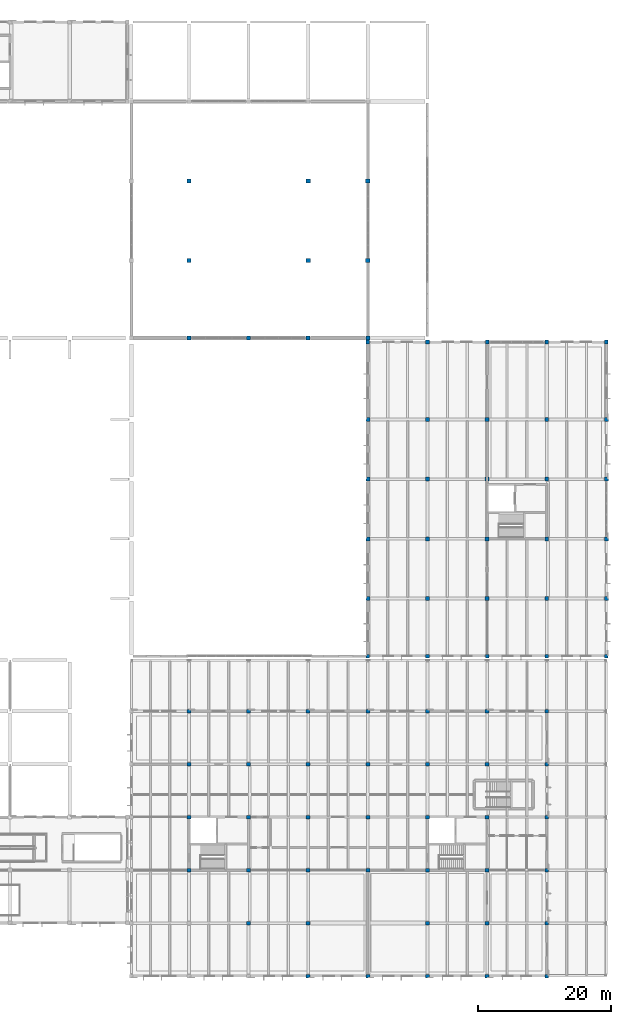
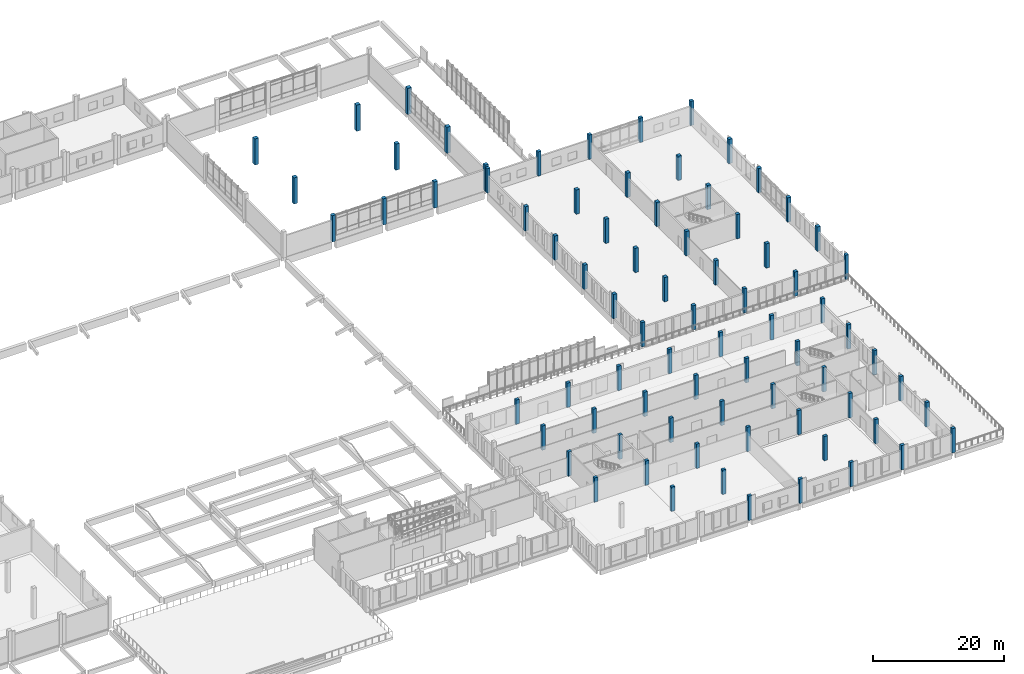
# One storey, part 4 of 63: 78 columns.
"""IFC4 building model written with IfcOpenShell, lengths in metres."""

from ifc_helpers import new_model, si_unit, direction, frame, origin, origin_2d, place, context, subcontext, project, spatial, rectangle, extrude, material, material_profile, profile_set, type_object, element, save


model = new_model("IFC4")

# Units and contexts
model_context = context("Model", 3, precision=1e-05, world=origin(), true_north=direction((0.0, 1.0)))
body_context = subcontext(model_context, "Body", "Model", "MODEL_VIEW")
ifc_project = project(units=[si_unit("LENGTHUNIT", "METRE"), si_unit("AREAUNIT", "SQUARE_METRE"), si_unit("VOLUMEUNIT", "CUBIC_METRE"), si_unit("PLANEANGLEUNIT", "RADIAN"), si_unit("MASSUNIT", "GRAM", prefix="KILO")], contexts=[model_context])

# Site, building, storey
site_placement = place(None, origin())
site = spatial("IfcSite", under=ifc_project, at=site_placement, CompositionType="ELEMENT")
building_placement = place(site_placement, origin())
building = spatial("IfcBuilding", under=site, at=building_placement, Name="Zacnel Wholesale Market", CompositionType="ELEMENT")
storey_placement = place(building_placement, frame((0.0, 0.0, 11.199951171875)))
storey = spatial("IfcBuildingStorey", under=building, at=storey_placement, Name="L03", CompositionType="ELEMENT", Elevation=11.199951171875)

# Columns
ifc_material_1 = material(Name="Precast concrete C45/55", Category="concrete")
ifc_material_profile_1 = material_profile(ifc_material_1, rectangle(XDim=0.550048828125, YDim=0.550048828125, at=origin_2d()), Name="PC 550x550")
ifc_profile_set_1 = profile_set([ifc_material_profile_1], Name="Precast concrete C45/55")
column_type_1 = type_object("IfcColumnType", Name="COL-PC550", PredefinedType="COLUMN", material=ifc_profile_set_1)
for number, where, z_axis, x_axis, name in (
    (1, (180.0, 48.300048828125, 0.0), (0.0, 0.0, 1.0), (1.0, 0.0, 0.0), "Precast column L03-0791"),
    (2, (180.0, 95.699951171875, 0.0), (0.0, 0.0, 1.0), (1.0, 0.0, 0.0), "Precast column L03-0796"),
    (3, (189.0, 48.300048828125, 0.0), (0.0, 0.0, 1.0), (1.0, 0.0, 0.0), "Precast column L03-0803"),
    (4, (189.0, 95.699951171875, 0.0), (0.0, 0.0, 1.0), (1.0, 0.0, 0.0), "Precast column L03-0808"),
    (5, (198.0, 48.300048828125, 0.0), (0.0, 0.0, 1.0), (1.0, 0.0, 0.0), "Precast column L03-0815"),
    (6, (198.0, 95.699951171875, 0.0), (0.0, 0.0, 1.0), (1.0, 0.0, 0.0), "Precast column L03-0820"),
    (7, (207.0, 48.300048828125, 0.0), (0.0, 0.0, 1.0), (1.0, 0.0, 0.0), "Precast column L03-0827"),
    (8, (207.0, 95.699951171875, 0.0), (0.0, 0.0, 1.0), (1.0, 0.0, 0.0), "Precast column L03-0832"),
    (9, (216.0, 48.300048828125, 0.0), (0.0, 0.0, 1.0), (1.0, 0.0, 0.0), "Precast column L03-0833"),
    (10, (216.0, 95.699951171875, 0.0), (0.0, 0.0, 1.0), (1.0, 0.0, 0.0), "Precast column L03-0838"),
):
    element("IfcColumn", number, at=place(storey_placement, frame(where, z_axis=z_axis, x_axis=x_axis)), inside=storey, type_object=column_type_1, Name=name, PredefinedType="COLUMN", context=body_context, shape_type="SweptSolid", body=[
        extrude(rectangle(XDim=0.550048828125, YDim=0.550048828125, at=origin_2d()), origin(), (0.0, 0.0, 1.0), 4.550048828125),
    ])
ifc_material_2 = material(Name="Precast concrete C45/55", Category="concrete")
ifc_material_profile_2 = material_profile(ifc_material_2, rectangle(XDim=0.60009765625, YDim=0.60009765625, at=origin_2d()), Name="PC 600x600")
ifc_profile_set_2 = profile_set([ifc_material_profile_2], Name="Precast concrete C45/55")
column_type_2 = type_object("IfcColumnType", Name="COL-PC600", PredefinedType="COLUMN", material=ifc_profile_set_2)
for number, where, z_axis, x_axis, name in (
    (11, (180.0, 57.0, 0.0), (0.0, 0.0, 1.0), (1.0, 0.0, 0.0), "Precast column L03-0792"),
    (12, (180.0, 66.0, 0.0), (0.0, 0.0, 1.0), (1.0, 0.0, 0.0), "Precast column L03-0793"),
    (13, (180.0, 75.0, 0.0), (0.0, 0.0, 1.0), (1.0, 0.0, 0.0), "Precast column L03-0794"),
    (14, (180.0, 84.0, 0.0), (0.0, 0.0, 1.0), (1.0, 0.0, 0.0), "Precast column L03-0795"),
    (15, (189.0, 57.0, 0.0), (0.0, 0.0, 1.0), (1.0, 0.0, 0.0), "Precast column L03-0804"),
    (16, (189.0, 66.0, 0.0), (0.0, 0.0, 1.0), (1.0, 0.0, 0.0), "Precast column L03-0805"),
    (17, (189.0, 75.0, 0.0), (0.0, 0.0, 1.0), (1.0, 0.0, 0.0), "Precast column L03-0806"),
    (18, (189.0, 84.0, 0.0), (0.0, 0.0, 1.0), (1.0, 0.0, 0.0), "Precast column L03-0807"),
    (19, (198.0, 57.0, 0.0), (0.0, 0.0, 1.0), (1.0, 0.0, 0.0), "Precast column L03-0816"),
    (20, (198.0, 66.0, 0.0), (0.0, 0.0, 1.0), (1.0, 0.0, 0.0), "Precast column L03-0817"),
    (21, (198.0, 75.0, 0.0), (0.0, 0.0, 1.0), (1.0, 0.0, 0.0), "Precast column L03-0818"),
    (22, (198.0, 84.0, 0.0), (0.0, 0.0, 1.0), (1.0, 0.0, 0.0), "Precast column L03-0819"),
    (23, (207.0, 57.0, 0.0), (0.0, 0.0, 1.0), (1.0, 0.0, 0.0), "Precast column L03-0828"),
    (24, (207.0, 66.0, 0.0), (0.0, 0.0, 1.0), (1.0, 0.0, 0.0), "Precast column L03-0829"),
    (25, (207.0, 75.0, 0.0), (0.0, 0.0, 1.0), (1.0, 0.0, 0.0), "Precast column L03-0830"),
    (26, (207.0, 84.0, 0.0), (0.0, 0.0, 1.0), (1.0, 0.0, 0.0), "Precast column L03-0831"),
    (27, (216.0, 57.0, 0.0), (0.0, 0.0, 1.0), (1.0, 0.0, 0.0), "Precast column L03-0834"),
    (28, (216.0, 66.0, 0.0), (0.0, 0.0, 1.0), (1.0, 0.0, 0.0), "Precast column L03-0835"),
    (29, (216.0, 75.0, 0.0), (0.0, 0.0, 1.0), (1.0, 0.0, 0.0), "Precast column L03-0836"),
    (30, (216.0, 84.0, 0.0), (0.0, 0.0, 1.0), (1.0, 0.0, 0.0), "Precast column L03-0837"),
):
    element("IfcColumn", number, at=place(storey_placement, frame(where, z_axis=z_axis, x_axis=x_axis)), inside=storey, type_object=column_type_2, Name=name, PredefinedType="COLUMN", context=body_context, shape_type="SweptSolid", body=[
        extrude(rectangle(XDim=0.60009765625, YDim=0.60009765625, at=origin_2d()), origin(), (0.0, 0.0, 1.0), 4.550048828125),
    ])
for number, where, z_axis, x_axis, name in (
    (31, (153.0, 96.300048828125, 0.0), (0.0, 0.0, 1.0), (1.0, 0.0, 0.0), "Crossing drum perimeter column 03"),
    (32, (162.0, 96.300048828125, 0.0), (0.0, 0.0, 1.0), (1.0, 0.0, 0.0), "Crossing drum perimeter column 05"),
    (33, (171.0, 96.300048828125, 0.0), (0.0, 0.0, 1.0), (1.0, 0.0, 0.0), "Crossing drum perimeter column 07"),
    (34, (180.0, 96.300048828125, 0.0), (0.0, 0.0, 1.0), (1.0, 0.0, 0.0), "Crossing drum perimeter column 09"),
):
    element("IfcColumn", number, at=place(storey_placement, frame(where, z_axis=z_axis, x_axis=x_axis)), inside=storey, type_object=column_type_2, Name=name, PredefinedType="COLUMN", context=body_context, shape_type="SweptSolid", body=[
        extrude(rectangle(XDim=0.60009765625, YDim=0.60009765625, at=origin_2d()), origin(), (0.0, 0.0, 1.0), 4.900146484375),
    ])
ifc_material_3 = material(Name="Precast concrete C45/55", Category="concrete")
ifc_material_profile_3 = material_profile(ifc_material_3, rectangle(XDim=0.60009765625, YDim=0.5, at=origin_2d()), Name="PC 600x500")
ifc_profile_set_3 = profile_set([ifc_material_profile_3], Name="Precast concrete C45/55")
column_type_3 = type_object("IfcColumnType", Name="COL-PC600X500", PredefinedType="COLUMN", material=ifc_profile_set_3)
for number, where, z_axis, x_axis, name in (
    (35, (153.0, 16.0, 0.0), (0.0, 0.0, 1.0), (1.0, 0.0, 0.0), "Precast column L03-0770"),
    (36, (153.0, 24.0, 0.0), (0.0, 0.0, 1.0), (1.0, 0.0, 0.0), "Precast column L03-0771"),
    (37, (153.0, 32.0, 0.0), (0.0, 0.0, 1.0), (1.0, 0.0, 0.0), "Precast column L03-0772"),
    (38, (153.0, 40.0, 0.0), (0.0, 0.0, 1.0), (1.0, 0.0, 0.0), "Precast column L03-0773"),
    (39, (162.0, 8.0, 0.0), (0.0, 0.0, 1.0), (1.0, 0.0, 0.0), "Precast column L03-0775"),
    (40, (162.0, 16.0, 0.0), (0.0, 0.0, 1.0), (1.0, 0.0, 0.0), "Precast column L03-0776"),
    (41, (162.0, 24.0, 0.0), (0.0, 0.0, 1.0), (1.0, 0.0, 0.0), "Precast column L03-0777"),
    (42, (162.0, 32.0, 0.0), (0.0, 0.0, 1.0), (1.0, 0.0, 0.0), "Precast column L03-0778"),
    (43, (162.0, 40.0, 0.0), (0.0, 0.0, 1.0), (1.0, 0.0, 0.0), "Precast column L03-0779"),
    (44, (171.0, 0.0, 0.0), (0.0, 0.0, 1.0), (1.0, 0.0, 0.0), "Precast column L03-0780"),
    (45, (171.0, 8.0, 0.0), (0.0, 0.0, 1.0), (1.0, 0.0, 0.0), "Precast column L03-0781"),
    (46, (171.0, 16.0, 0.0), (0.0, 0.0, 1.0), (1.0, 0.0, 0.0), "Precast column L03-0782"),
    (47, (171.0, 24.0, 0.0), (0.0, 0.0, 1.0), (1.0, 0.0, 0.0), "Precast column L03-0783"),
    (48, (171.0, 32.0, 0.0), (0.0, 0.0, 1.0), (1.0, 0.0, 0.0), "Precast column L03-0784"),
    (49, (171.0, 40.0, 0.0), (0.0, 0.0, 1.0), (1.0, 0.0, 0.0), "Precast column L03-0785"),
    (50, (180.0, 0.0, 0.0), (0.0, 0.0, 1.0), (1.0, 0.0, 0.0), "Precast column L03-0786"),
    (51, (180.0, 16.0, 0.0), (0.0, 0.0, 1.0), (1.0, 0.0, 0.0), "Precast column L03-0787"),
    (52, (180.0, 24.0, 0.0), (0.0, 0.0, 1.0), (1.0, 0.0, 0.0), "Precast column L03-0788"),
    (53, (180.0, 32.0, 0.0), (0.0, 0.0, 1.0), (1.0, 0.0, 0.0), "Precast column L03-0789"),
    (54, (180.0, 40.0, 0.0), (0.0, 0.0, 1.0), (1.0, 0.0, 0.0), "Precast column L03-0790"),
    (55, (189.0, 0.0, 0.0), (0.0, 0.0, 1.0), (1.0, 0.0, 0.0), "Precast column L03-0797"),
    (56, (189.0, 8.0, 0.0), (0.0, 0.0, 1.0), (1.0, 0.0, 0.0), "Precast column L03-0798"),
    (57, (189.0, 16.0, 0.0), (0.0, 0.0, 1.0), (1.0, 0.0, 0.0), "Precast column L03-0799"),
    (58, (189.0, 24.0, 0.0), (0.0, 0.0, 1.0), (1.0, 0.0, 0.0), "Precast column L03-0800"),
    (59, (189.0, 32.0, 0.0), (0.0, 0.0, 1.0), (1.0, 0.0, 0.0), "Precast column L03-0801"),
    (60, (189.0, 40.0, 0.0), (0.0, 0.0, 1.0), (1.0, 0.0, 0.0), "Precast column L03-0802"),
    (61, (198.0, 0.0, 0.0), (0.0, 0.0, 1.0), (1.0, 0.0, 0.0), "Precast column L03-0809"),
    (62, (198.0, 8.0, 0.0), (0.0, 0.0, 1.0), (1.0, 0.0, 0.0), "Precast column L03-0810"),
    (63, (198.0, 16.0, 0.0), (0.0, 0.0, 1.0), (1.0, 0.0, 0.0), "Precast column L03-0811"),
    (64, (198.0, 24.0, 0.0), (0.0, 0.0, 1.0), (1.0, 0.0, 0.0), "Precast column L03-0812"),
    (65, (198.0, 32.0, 0.0), (0.0, 0.0, 1.0), (1.0, 0.0, 0.0), "Precast column L03-0813"),
    (66, (198.0, 40.0, 0.0), (0.0, 0.0, 1.0), (1.0, 0.0, 0.0), "Precast column L03-0814"),
    (67, (207.0, 0.0, 0.0), (0.0, 0.0, 1.0), (1.0, 0.0, 0.0), "Precast column L03-0821"),
    (68, (207.0, 8.0, 0.0), (0.0, 0.0, 1.0), (1.0, 0.0, 0.0), "Precast column L03-0822"),
    (69, (207.0, 16.0, 0.0), (0.0, 0.0, 1.0), (1.0, 0.0, 0.0), "Precast column L03-0823"),
    (70, (207.0, 24.0, 0.0), (0.0, 0.0, 1.0), (1.0, 0.0, 0.0), "Precast column L03-0824"),
    (71, (207.0, 32.0, 0.0), (0.0, 0.0, 1.0), (1.0, 0.0, 0.0), "Precast column L03-0825"),
    (72, (207.0, 40.0, 0.0), (0.0, 0.0, 1.0), (1.0, 0.0, 0.0), "Precast column L03-0826"),
):
    element("IfcColumn", number, at=place(storey_placement, frame(where, z_axis=z_axis, x_axis=x_axis)), inside=storey, type_object=column_type_3, Name=name, PredefinedType="COLUMN", context=body_context, shape_type="SweptSolid", body=[
        extrude(rectangle(XDim=0.60009765625, YDim=0.5, at=origin_2d()), origin(), (0.0, 0.0, 1.0), 4.550048828125),
    ])
ifc_material_4 = material(Name="Precast concrete C45/55", Category="concrete")
ifc_material_profile_4 = material_profile(ifc_material_4, rectangle(XDim=0.64990234375, YDim=0.64990234375, at=origin_2d()), Name="PC 650x650")
ifc_profile_set_4 = profile_set([ifc_material_profile_4], Name="Precast concrete C45/55")
column_type_4 = type_object("IfcColumnType", Name="COL-PC650", PredefinedType="COLUMN", material=ifc_profile_set_4)
for number, where, z_axis, x_axis, name in (
    (73, (153.0, 108.0, 0.0), (0.0, 0.0, 1.0), (1.0, 0.0, 0.0), "Crossing drum column L03-01"),
    (74, (171.0, 108.0, 0.0), (0.0, 0.0, 1.0), (1.0, 0.0, 0.0), "Crossing drum column L03-02"),
    (75, (153.0, 120.0, 0.0), (0.0, 0.0, 1.0), (1.0, 0.0, 0.0), "Crossing drum column L03-03"),
    (76, (171.0, 120.0, 0.0), (0.0, 0.0, 1.0), (1.0, 0.0, 0.0), "Crossing drum column L03-04"),
    (77, (180.0, 108.0, 0.0), (0.0, 0.0, 1.0), (1.0, 0.0, 0.0), "Crossing drum column L03-07"),
    (78, (180.0, 120.0, 0.0), (0.0, 0.0, 1.0), (1.0, 0.0, 0.0), "Crossing drum column L03-08"),
):
    element("IfcColumn", number, at=place(storey_placement, frame(where, z_axis=z_axis, x_axis=x_axis)), inside=storey, type_object=column_type_4, Name=name, PredefinedType="COLUMN", context=body_context, shape_type="SweptSolid", body=[
        extrude(rectangle(XDim=0.64990234375, YDim=0.64990234375, at=origin_2d()), origin(), (0.0, 0.0, 1.0), 4.900146484375),
    ])

save(model, "model.ifc")
